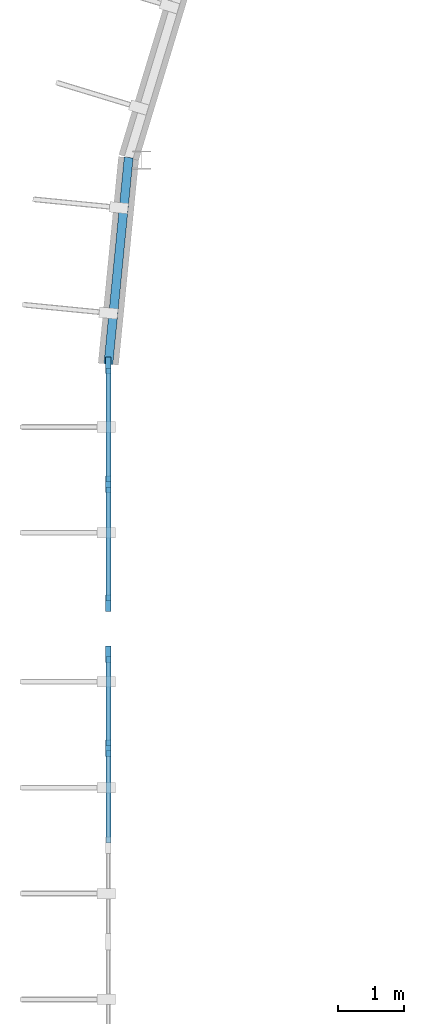
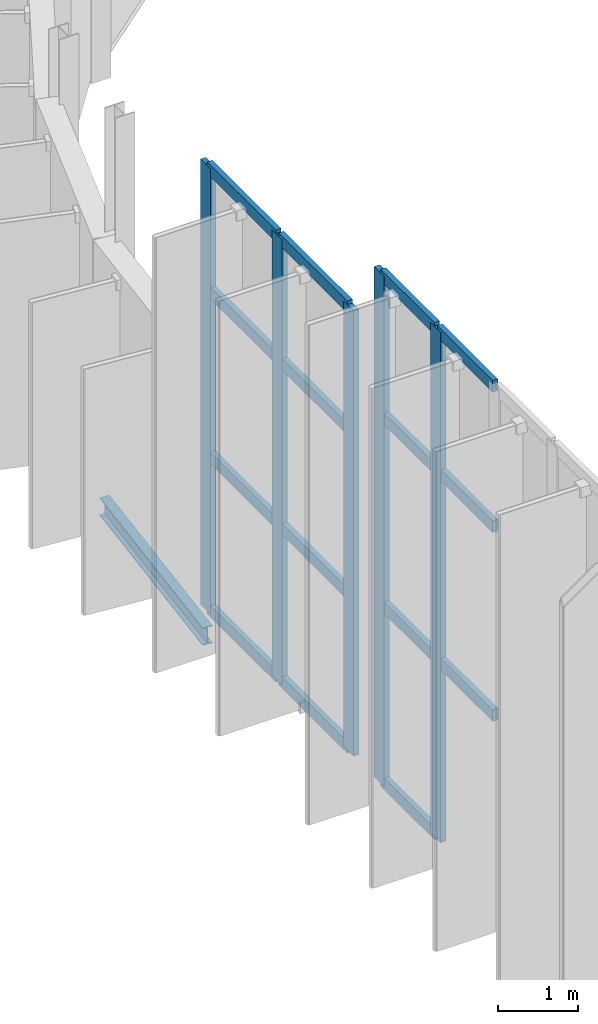
# One storey, part 7 of 38: 20 members, 1 beam, 2 elements without a shape of their own.
"""IFC4 building model written with IfcOpenShell, lengths in metres."""

from ifc_helpers import new_model, si_unit, direction, frame, origin, origin_2d, place, context, subcontext, project, spatial, rectangle, i_section, extrude, material, layer, layer_set, material_profile, profile_set, type_object, element, aggregate, save


model = new_model("IFC4")

# Units and contexts
model_context = context("Model", 3, precision=1e-05, world=origin(), true_north=direction((0.0, 1.0)))
body_context = subcontext(model_context, "Body", "Model", "MODEL_VIEW")
ifc_project = project(units=[si_unit("LENGTHUNIT", "METRE"), si_unit("AREAUNIT", "SQUARE_METRE"), si_unit("VOLUMEUNIT", "CUBIC_METRE"), si_unit("PLANEANGLEUNIT", "RADIAN"), si_unit("MASSUNIT", "GRAM", prefix="KILO")], contexts=[model_context])

# Site, building, storey
site_placement = place(None, origin())
site = spatial("IfcSite", under=ifc_project, at=site_placement, CompositionType="ELEMENT")
building_placement = place(site_placement, origin())
building = spatial("IfcBuilding", under=site, at=building_placement, Name="Drelvana Railside Aquatics Centre", CompositionType="ELEMENT")
storey_placement = place(building_placement, frame((0.0, 0.0, 14.39990234375)))
storey = spatial("IfcBuildingStorey", under=building, at=storey_placement, Name="L03", CompositionType="ELEMENT", Elevation=14.39990234375)

# Curtain wall, members
ifc_material_1 = material(Name="Bronze-anodised aluminium curtain wall", Category="aluminium")
ifc_layer = layer(ifc_material_1, 0.219970703125, Name="Bronze-anodised aluminium curtain wall")
ifc_layer_set = layer_set([ifc_layer], Name="Bronze-anodised aluminium curtain wall")
curtain_wall_type = type_object("IfcCurtainWallType", Name="CW-Z3-HIGH", PredefinedType="NOTDEFINED", material=ifc_layer_set)
curtain_wall_1_placement = place(storey_placement, origin())
curtain_wall_1 = element("IfcCurtainWall", 1, at=curtain_wall_1_placement, inside=storey, type_object=curtain_wall_type, Name="Curtain wall CW-03-053", PredefinedType="NOTDEFINED")
ifc_material_2 = material(Name="Bronze-anodised aluminium 6063-T6", Category="aluminium")
ifc_material_profile_1 = material_profile(ifc_material_2, rectangle(XDim=0.080078125, YDim=0.25, at=origin_2d()), Name="ALU-M 80x250")
ifc_profile_set_1 = profile_set([ifc_material_profile_1], Name="Bronze-anodised aluminium 6063-T6")
member_type_1 = type_object("IfcMemberType", Name="CW-Z3-HIGH-MUL", PredefinedType="MULLION", material=ifc_profile_set_1)
member_1_placement = place(storey_placement, frame((0.0, 62.193603515625, -0.005859375), z_axis=(0.0, 0.0, 1.0), x_axis=(-1.0, 0.0, 0.0)))
member_1 = element("IfcMember", 2, at=member_1_placement, type_object=member_type_1, Name="CW-03 mullion 5", PredefinedType="MULLION", context=body_context, shape_type="SweptSolid", body=[
    extrude(rectangle(XDim=0.080078125, YDim=0.25, at=origin_2d()), origin(), (0.0, 0.0, 1.0), 7.830078125),
])
member_2_placement = place(storey_placement, frame((0.0, 63.615966796875, -0.005859375), z_axis=(0.0, 0.0, 1.0), x_axis=(-1.0, 0.0, 0.0)))
member_2 = element("IfcMember", 3, at=member_2_placement, type_object=member_type_1, Name="CW-03 mullion 6", PredefinedType="MULLION", context=body_context, shape_type="SweptSolid", body=[
    extrude(rectangle(XDim=0.080078125, YDim=0.25, at=origin_2d()), origin(), (0.0, 0.0, 1.0), 7.830078125),
])

curtain_wall_2_placement = place(storey_placement, origin())
curtain_wall_2 = element("IfcCurtainWall", 4, at=curtain_wall_2_placement, inside=storey, type_object=curtain_wall_type, Name="Curtain wall CW-03-054", PredefinedType="NOTDEFINED")
member_3_placement = place(storey_placement, frame((0.0, 64.384033203125, -0.005859375), z_axis=(0.0, 0.0, 1.0), x_axis=(-1.0, 0.0, 0.0)))
member_3 = element("IfcMember", 5, at=member_3_placement, type_object=member_type_1, Name="CW-03 mullion 1", PredefinedType="MULLION", context=body_context, shape_type="SweptSolid", body=[
    extrude(rectangle(XDim=0.080078125, YDim=0.25, at=origin_2d()), origin(), (0.0, 0.0, 1.0), 6.833984375),
])
member_4_placement = place(storey_placement, frame((0.0, 66.181884765625, -0.005859375), z_axis=(0.0, 0.0, 1.0), x_axis=(-1.0, 0.0, 0.0)))
member_4 = element("IfcMember", 6, at=member_4_placement, type_object=member_type_1, Name="CW-03 mullion 2", PredefinedType="MULLION", context=body_context, shape_type="SweptSolid", body=[
    extrude(rectangle(XDim=0.080078125, YDim=0.25, at=origin_2d()), origin(), (0.0, 0.0, 1.0), 6.833984375),
])
member_5_placement = place(storey_placement, frame((0.0, 67.97998046875, -0.005859375), z_axis=(0.0, 0.0, 1.0), x_axis=(-1.0, 0.0, 0.0)))
member_5 = element("IfcMember", 7, at=member_5_placement, type_object=member_type_1, Name="CW-03 mullion 3", PredefinedType="MULLION", context=body_context, shape_type="SweptSolid", body=[
    extrude(rectangle(XDim=0.080078125, YDim=0.25, at=origin_2d()), origin(), (0.0, 0.0, 1.0), 6.833984375),
])

# Member
ifc_material_profile_2 = material_profile(ifc_material_2, rectangle(XDim=0.179931640625, YDim=0.074951171875, at=origin_2d()), Name="ALU-T 75x180")
ifc_profile_set_2 = profile_set([ifc_material_profile_2], Name="Bronze-anodised aluminium 6063-T6")
member_type_2 = type_object("IfcMemberType", Name="CW-Z3-HIGH-TRN", PredefinedType="USERDEFINED", material=ifc_profile_set_2)
member_6_placement = place(storey_placement, frame((0.0, 60.76611328125, 2.734130859375), z_axis=(0.0, 1.0, 0.0), x_axis=(0.0, 0.0, 1.0)))
member_6 = element("IfcMember", 8, at=member_6_placement, type_object=member_type_2, Name="CW-03 transom 4.2", ObjectType="TRANSOM", PredefinedType="USERDEFINED", context=body_context, shape_type="SweptSolid", body=[
    extrude(rectangle(XDim=0.179931640625, YDim=0.074951171875, at=origin_2d()), origin(), (0.0, 0.0, 1.0), 1.392578125),
])

member_7_placement = place(storey_placement, frame((0.0, 60.76611328125, 5.632080078125), z_axis=(0.0, 1.0, 0.0), x_axis=(0.0, 0.0, 1.0)))
member_7 = element("IfcMember", 9, at=member_7_placement, type_object=member_type_2, Name="CW-03 transom 4.3", ObjectType="TRANSOM", PredefinedType="USERDEFINED", context=body_context, shape_type="SweptSolid", body=[
    extrude(rectangle(XDim=0.179931640625, YDim=0.074951171875, at=origin_2d()), origin(), (0.0, 0.0, 1.0), 1.392578125),
])

member_8_placement = place(storey_placement, frame((0.0, 60.76611328125, 7.78662109375), z_axis=(0.0, 1.0, 0.0), x_axis=(0.0, 0.0, 1.0)))
member_8 = element("IfcMember", 10, at=member_8_placement, type_object=member_type_2, Name="CW-03 transom 4.4", ObjectType="TRANSOM", PredefinedType="USERDEFINED", context=body_context, shape_type="SweptSolid", body=[
    extrude(rectangle(XDim=0.179931640625, YDim=0.074951171875, at=origin_2d()), origin(), (0.0, 0.0, 1.0), 1.392578125),
])

member_9_placement = place(storey_placement, frame((0.0, 62.228515625, 0.031494140625), z_axis=(0.0, 1.0, 0.0), x_axis=(0.0, 0.0, 1.0)))
member_9 = element("IfcMember", 11, at=member_9_placement, type_object=member_type_2, Name="CW-03 transom 5.1", ObjectType="TRANSOM", PredefinedType="USERDEFINED", context=body_context, shape_type="SweptSolid", body=[
    extrude(rectangle(XDim=0.179931640625, YDim=0.074951171875, at=origin_2d()), origin(), (0.0, 0.0, 1.0), 1.3525390625),
])

member_10_placement = place(storey_placement, frame((0.0, 62.228515625, 2.734130859375), z_axis=(0.0, 1.0, 0.0), x_axis=(0.0, 0.0, 1.0)))
member_10 = element("IfcMember", 12, at=member_10_placement, type_object=member_type_2, Name="CW-03 transom 5.2", ObjectType="TRANSOM", PredefinedType="USERDEFINED", context=body_context, shape_type="SweptSolid", body=[
    extrude(rectangle(XDim=0.179931640625, YDim=0.074951171875, at=origin_2d()), origin(), (0.0, 0.0, 1.0), 1.3525390625),
])

member_11_placement = place(storey_placement, frame((0.0, 62.228515625, 5.632080078125), z_axis=(0.0, 1.0, 0.0), x_axis=(0.0, 0.0, 1.0)))
member_11 = element("IfcMember", 13, at=member_11_placement, type_object=member_type_2, Name="CW-03 transom 5.3", ObjectType="TRANSOM", PredefinedType="USERDEFINED", context=body_context, shape_type="SweptSolid", body=[
    extrude(rectangle(XDim=0.179931640625, YDim=0.074951171875, at=origin_2d()), origin(), (0.0, 0.0, 1.0), 1.3525390625),
])

member_12_placement = place(storey_placement, frame((0.0, 62.228515625, 7.78662109375), z_axis=(0.0, 1.0, 0.0), x_axis=(0.0, 0.0, 1.0)))
member_12 = element("IfcMember", 14, at=member_12_placement, type_object=member_type_2, Name="CW-03 transom 5.4", ObjectType="TRANSOM", PredefinedType="USERDEFINED", context=body_context, shape_type="SweptSolid", body=[
    extrude(rectangle(XDim=0.179931640625, YDim=0.074951171875, at=origin_2d()), origin(), (0.0, 0.0, 1.0), 1.3525390625),
])

aggregate(curtain_wall_1, [member_1, member_2, member_6, member_7, member_8, member_9, member_10, member_11, member_12])

member_13_placement = place(storey_placement, frame((0.0, 64.4189453125, 0.031494140625), z_axis=(0.0, 1.0, 0.0), x_axis=(0.0, 0.0, 1.0)))
member_13 = element("IfcMember", 15, at=member_13_placement, type_object=member_type_2, Name="CW-03 transom 1.1", ObjectType="TRANSOM", PredefinedType="USERDEFINED", context=body_context, shape_type="SweptSolid", body=[
    extrude(rectangle(XDim=0.179931640625, YDim=0.074951171875, at=origin_2d()), origin(), (0.0, 0.0, 1.0), 1.72802734375),
])

member_14_placement = place(storey_placement, frame((0.0, 64.4189453125, 2.385986328125), z_axis=(0.0, 1.0, 0.0), x_axis=(0.0, 0.0, 1.0)))
member_14 = element("IfcMember", 16, at=member_14_placement, type_object=member_type_2, Name="CW-03 transom 1.2", ObjectType="TRANSOM", PredefinedType="USERDEFINED", context=body_context, shape_type="SweptSolid", body=[
    extrude(rectangle(XDim=0.179931640625, YDim=0.074951171875, at=origin_2d()), origin(), (0.0, 0.0, 1.0), 1.72802734375),
])

member_15_placement = place(storey_placement, frame((0.0, 64.4189453125, 4.9140625), z_axis=(0.0, 1.0, 0.0), x_axis=(0.0, 0.0, 1.0)))
member_15 = element("IfcMember", 17, at=member_15_placement, type_object=member_type_2, Name="CW-03 transom 1.3", ObjectType="TRANSOM", PredefinedType="USERDEFINED", context=body_context, shape_type="SweptSolid", body=[
    extrude(rectangle(XDim=0.179931640625, YDim=0.074951171875, at=origin_2d()), origin(), (0.0, 0.0, 1.0), 1.72802734375),
])

member_16_placement = place(storey_placement, frame((0.0, 64.4189453125, 6.79052734375), z_axis=(0.0, 1.0, 0.0), x_axis=(0.0, 0.0, 1.0)))
member_16 = element("IfcMember", 18, at=member_16_placement, type_object=member_type_2, Name="CW-03 transom 1.4", ObjectType="TRANSOM", PredefinedType="USERDEFINED", context=body_context, shape_type="SweptSolid", body=[
    extrude(rectangle(XDim=0.179931640625, YDim=0.074951171875, at=origin_2d()), origin(), (0.0, 0.0, 1.0), 1.72802734375),
])

member_17_placement = place(storey_placement, frame((0.0, 66.217041015625, 0.031494140625), z_axis=(0.0, 1.0, 0.0), x_axis=(0.0, 0.0, 1.0)))
member_17 = element("IfcMember", 19, at=member_17_placement, type_object=member_type_2, Name="CW-03 transom 2.1", ObjectType="TRANSOM", PredefinedType="USERDEFINED", context=body_context, shape_type="SweptSolid", body=[
    extrude(rectangle(XDim=0.179931640625, YDim=0.074951171875, at=origin_2d()), origin(), (0.0, 0.0, 1.0), 1.72802734375),
])

member_18_placement = place(storey_placement, frame((0.0, 66.217041015625, 2.385986328125), z_axis=(0.0, 1.0, 0.0), x_axis=(0.0, 0.0, 1.0)))
member_18 = element("IfcMember", 20, at=member_18_placement, type_object=member_type_2, Name="CW-03 transom 2.2", ObjectType="TRANSOM", PredefinedType="USERDEFINED", context=body_context, shape_type="SweptSolid", body=[
    extrude(rectangle(XDim=0.179931640625, YDim=0.074951171875, at=origin_2d()), origin(), (0.0, 0.0, 1.0), 1.72802734375),
])

member_19_placement = place(storey_placement, frame((0.0, 66.217041015625, 4.9140625), z_axis=(0.0, 1.0, 0.0), x_axis=(0.0, 0.0, 1.0)))
member_19 = element("IfcMember", 21, at=member_19_placement, type_object=member_type_2, Name="CW-03 transom 2.3", ObjectType="TRANSOM", PredefinedType="USERDEFINED", context=body_context, shape_type="SweptSolid", body=[
    extrude(rectangle(XDim=0.179931640625, YDim=0.074951171875, at=origin_2d()), origin(), (0.0, 0.0, 1.0), 1.72802734375),
])

member_20_placement = place(storey_placement, frame((0.0, 66.217041015625, 6.79052734375), z_axis=(0.0, 1.0, 0.0), x_axis=(0.0, 0.0, 1.0)))
member_20 = element("IfcMember", 22, at=member_20_placement, type_object=member_type_2, Name="CW-03 transom 2.4", ObjectType="TRANSOM", PredefinedType="USERDEFINED", context=body_context, shape_type="SweptSolid", body=[
    extrude(rectangle(XDim=0.179931640625, YDim=0.074951171875, at=origin_2d()), origin(), (0.0, 0.0, 1.0), 1.72802734375),
])

aggregate(curtain_wall_2, [member_3, member_4, member_5, member_13, member_14, member_15, member_16, member_17, member_18, member_19, member_20])

# Beam
ifc_material_3 = material(Name="Structural steel S355", Category="steel")
ifc_material_profile_3 = material_profile(ifc_material_3, i_section(OverallWidth=0.135009765625, OverallDepth=0.27001953125, WebThickness=0.006591796875, FlangeThickness=0.01025390625, at=origin_2d()), Name="IPE 270")
ifc_profile_set_3 = profile_set([ifc_material_profile_3], Name="Structural steel S355")
beam_type = type_object("IfcBeamType", Name="STR-SBM-SJ-02-IPE-270", PredefinedType="JOIST", material=ifc_profile_set_3)
beam_placement = place(storey_placement, frame((0.307373046875, 71.121337890625, -0.434814453125), z_axis=(-0.098000751113, -0.995186340733, 0.0), x_axis=(0.995186340733, -0.098000751113, 0.0)))
element("IfcBeam", 23, at=beam_placement, inside=storey, type_object=beam_type, Name="V1NW L03 curved spandrel beam 8", PredefinedType="JOIST", context=body_context, shape_type="SweptSolid", body=[
    extrude(i_section(OverallWidth=0.135009765625, OverallDepth=0.27001953125, WebThickness=0.006591796875, FlangeThickness=0.01025390625, at=origin_2d()), origin(), (0.0, 0.0, 1.0), 3.136474609375),
])

save(model, "model.ifc")
